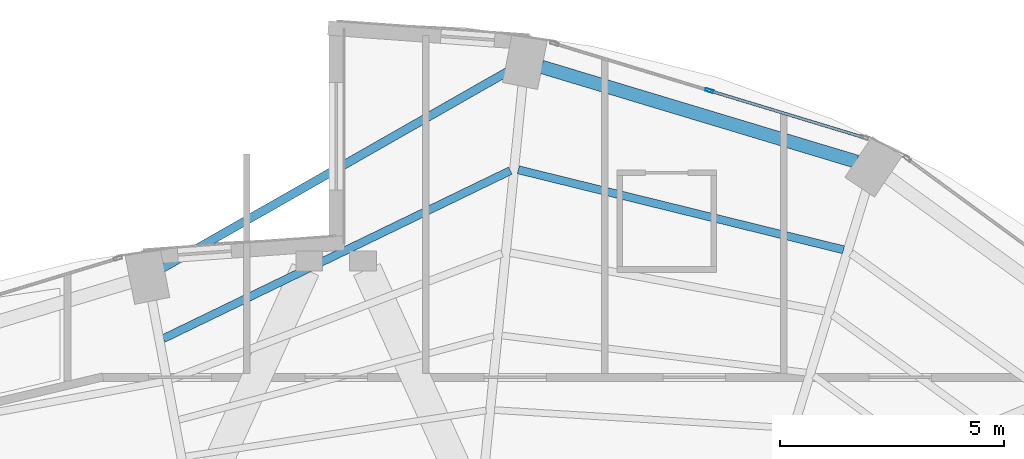
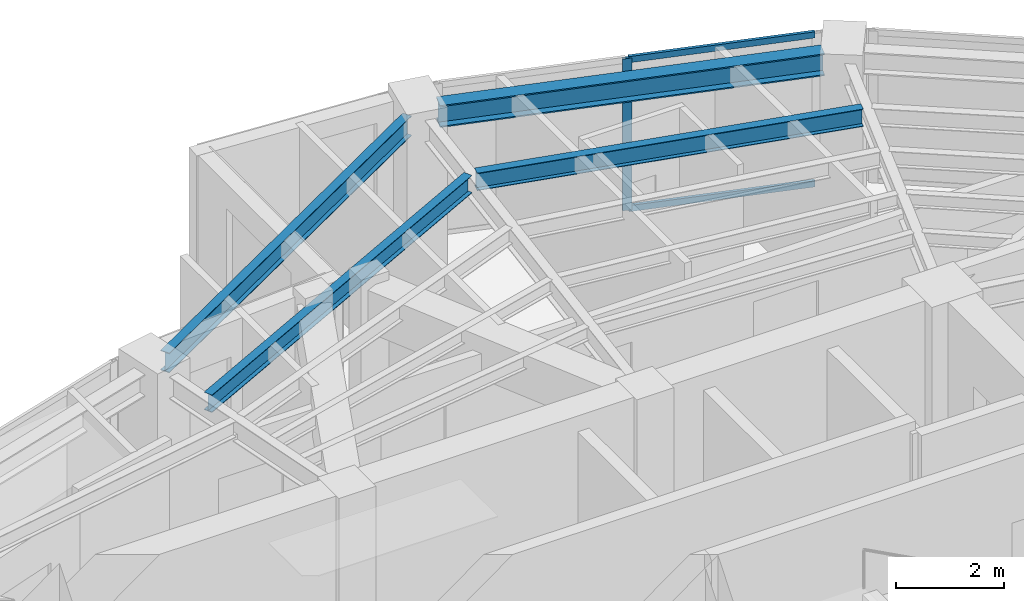
# One storey, part 16 of 23: 4 beams, 3 members, 1 element without a shape of its own.
"""IFC4 building model written with IfcOpenShell, lengths in metres."""

from ifc_helpers import new_model, si_unit, direction, frame, origin, origin_2d, place, context, subcontext, project, spatial, hollow_rectangle, i_section, extrude, material, layer, layer_set, material_profile, profile_set, type_object, element, aggregate, save


model = new_model("IFC4")

# Units and contexts
model_context = context("Model", 3, precision=1e-05, world=origin(), true_north=direction((0.0, 1.0)))
body_context = subcontext(model_context, "Body", "Model", "MODEL_VIEW")
ifc_project = project(units=[si_unit("LENGTHUNIT", "METRE"), si_unit("AREAUNIT", "SQUARE_METRE"), si_unit("VOLUMEUNIT", "CUBIC_METRE"), si_unit("PLANEANGLEUNIT", "RADIAN"), si_unit("MASSUNIT", "GRAM", prefix="KILO")], contexts=[model_context])

# Site, building, storey
site_placement = place(None, origin())
site = spatial("IfcSite", under=ifc_project, at=site_placement, CompositionType="ELEMENT")
building_placement = place(site_placement, origin())
building = spatial("IfcBuilding", under=site, at=building_placement, Name="Lazwardi Medical Tower", CompositionType="ELEMENT")
storey_placement = place(building_placement, frame((0.0, 0.0, 198.47998046875)))
storey = spatial("IfcBuildingStorey", under=building, at=storey_placement, Name="L51", CompositionType="ELEMENT", Elevation=198.47998046875)

# Beams
ifc_material_1 = material(Name="Steel S355", Category="steel")
ifc_material_profile_1 = material_profile(ifc_material_1, i_section(OverallWidth=0.300048828125, OverallDepth=0.5, WebThickness=0.014404296875, FlangeThickness=0.028076171875, at=origin_2d()), Name="HEB 500")
ifc_profile_set_1 = profile_set([ifc_material_profile_1], Name="Steel S355")
beam_type_1 = type_object("IfcBeamType", Name="BM-RB-Z4", PredefinedType="BEAM", material=ifc_profile_set_1)
beam_1_placement = place(storey_placement, frame((47.626953125, 43.56640625, 3.197998046875), z_axis=(-0.957544311906, 0.288286126506, 0.0), x_axis=(-0.288286126506, -0.957544311906, 0.0)))
element("IfcBeam", 1, at=beam_1_placement, inside=storey, type_object=beam_type_1, Name="Ring beam RB-05 B07 L51", PredefinedType="BEAM", context=body_context, shape_type="SweptSolid", body=[
    extrude(i_section(OverallWidth=0.300048828125, OverallDepth=0.5, WebThickness=0.014404296875, FlangeThickness=0.028076171875, at=origin_2d()), origin(), (0.0, 0.0, 1.0), 7.3515625),
])
ifc_material_profile_2 = material_profile(ifc_material_1, i_section(OverallWidth=0.179931640625, OverallDepth=0.39990234375, WebThickness=0.008544921875, FlangeThickness=0.013427734375, at=origin_2d()), Name="IPE 400")
ifc_profile_set_2 = profile_set([ifc_material_profile_2], Name="Steel S355")
beam_type_2 = type_object("IfcBeamType", Name="BM-SJ-01", PredefinedType="JOIST", material=ifc_profile_set_2)
beam_2_placement = place(storey_placement, frame((47.334228515625, 41.59912109375, 3.248046875), z_axis=(-0.971041669317, 0.238910184904, 0.0), x_axis=(-0.238910184904, -0.971041669317, 0.0)))
element("IfcBeam", 2, at=beam_2_placement, inside=storey, type_object=beam_type_2, Name="Secondary joist SJ-01 R1 B07 L51", PredefinedType="JOIST", context=body_context, shape_type="SweptSolid", body=[
    extrude(i_section(OverallWidth=0.179931640625, OverallDepth=0.39990234375, WebThickness=0.008544921875, FlangeThickness=0.013427734375, at=origin_2d()), origin(), (0.0, 0.0, 1.0), 7.482421875),
])
beam_3_placement = place(storey_placement, frame((39.89111328125, 43.367919921875, 3.248046875), z_axis=(-0.900068885459, -0.435747635024, 0.0), x_axis=(0.435747635024, -0.900068885459, 0.0)))
element("IfcBeam", 3, at=beam_3_placement, inside=storey, type_object=beam_type_2, Name="Secondary joist SJ-01 R1 B08 L51", PredefinedType="JOIST", context=body_context, shape_type="SweptSolid", body=[
    extrude(i_section(OverallWidth=0.179931640625, OverallDepth=0.39990234375, WebThickness=0.008544921875, FlangeThickness=0.013427734375, at=origin_2d()), origin(), (0.0, 0.0, 1.0), 8.612548828125),
])
ifc_material_profile_3 = material_profile(ifc_material_1, i_section(OverallWidth=0.18994140625, OverallDepth=0.449951171875, WebThickness=0.009521484375, FlangeThickness=0.0146484375, at=origin_2d()), Name="IPE 450")
ifc_profile_set_3 = profile_set([ifc_material_profile_3], Name="Steel S355")
beam_type_3 = type_object("IfcBeamType", Name="BM-SP-01", PredefinedType="SPANDREL", material=ifc_profile_set_3)
beam_4_placement = place(storey_placement, frame((39.875, 45.605224609375, 3.222900390625), z_axis=(-0.868954808466, -0.494891443494, 0.0), x_axis=(0.494891443494, -0.868954808466, 0.0)))
element("IfcBeam", 4, at=beam_4_placement, inside=storey, type_object=beam_type_3, Name="Spandrel beam SP-01 B08 L51", PredefinedType="SPANDREL", context=body_context, shape_type="SweptSolid", body=[
    extrude(i_section(OverallWidth=0.18994140625, OverallDepth=0.449951171875, WebThickness=0.009521484375, FlangeThickness=0.0146484375, at=origin_2d()), origin(), (0.0, 0.0, 1.0), 8.918701171875),
])

# Curtain wall, members
ifc_material_2 = material(Name="Anodised bronze aluminium and solar control glazing", Category="aluminium")
ifc_layer = layer(ifc_material_2, 0.18994140625)
ifc_layer_set = layer_set([ifc_layer], Name="Anodised bronze aluminium and solar control glazing")
curtain_wall_type = type_object("IfcCurtainWallType", Name="CW-SYS-04", PredefinedType="NOTDEFINED", material=ifc_layer_set)
curtain_wall_placement = place(storey_placement, origin())
curtain_wall = element("IfcCurtainWall", 5, at=curtain_wall_placement, inside=storey, type_object=curtain_wall_type, Name="L51 Unitised bronze curtain wall CW-04", PredefinedType="NOTDEFINED")
ifc_material_3 = material(Name="Anodised bronze aluminium", Category="aluminium")
ifc_material_profile_4 = material_profile(ifc_material_3, hollow_rectangle(XDim=0.06494140625, YDim=0.179931640625, WallThickness=0.00390625, at=origin_2d()), Name="ALU-MULLION 180x65x4")
ifc_profile_set_4 = profile_set([ifc_material_profile_4], Name="Anodised bronze aluminium")
member_type_1 = type_object("IfcMemberType", Name="CW-MUL-03", PredefinedType="MULLION", material=ifc_profile_set_4)
member_1_placement = place(storey_placement, frame((44.33642578125, 45.1552734375, 0.0), z_axis=(0.0, 0.0, 1.0), x_axis=(-0.290581889515, -0.956850126972, 0.0)))
member_1 = element("IfcMember", 6, at=member_1_placement, type_object=member_type_1, Name="CW-04 mullion 2", PredefinedType="MULLION", context=body_context, shape_type="SweptSolid", body=[
    extrude(hollow_rectangle(XDim=0.06494140625, YDim=0.179931640625, WallThickness=0.00390625, at=origin_2d()), origin(), (0.0, 0.0, 1.0), 3.447998046875),
])
ifc_material_profile_5 = material_profile(ifc_material_3, hollow_rectangle(XDim=0.06494140625, YDim=0.139892578125, WallThickness=0.00341796875, at=origin_2d()), Name="ALU-TRANSOM 140x65x3.5")
ifc_profile_set_5 = profile_set([ifc_material_profile_5], Name="Anodised bronze aluminium")
member_type_2 = type_object("IfcMemberType", Name="CW-TRN-03", PredefinedType="USERDEFINED", material=ifc_profile_set_5)
member_2_placement = place(storey_placement, frame((47.7685546875, 44.113037109375, 0.032470703125), z_axis=(-0.956862505902, 0.290541124109, 0.0), x_axis=(-0.290541124109, -0.956862505902, 0.0)))
member_2 = element("IfcMember", 7, at=member_2_placement, type_object=member_type_2, Name="CW-04 transom 1.1", ObjectType="TRANSOM", PredefinedType="USERDEFINED", context=body_context, shape_type="SweptSolid", body=[
    extrude(hollow_rectangle(XDim=0.06494140625, YDim=0.139892578125, WallThickness=0.00341796875, at=origin_2d()), origin(), (0.0, 0.0, 1.0), 3.554443359375),
])
member_3_placement = place(storey_placement, frame((47.7685546875, 44.113037109375, 3.41552734375), z_axis=(-0.956862505902, 0.290541124109, 0.0), x_axis=(-0.290541124109, -0.956862505902, 0.0)))
member_3 = element("IfcMember", 8, at=member_3_placement, type_object=member_type_2, Name="CW-04 transom 1.2", ObjectType="TRANSOM", PredefinedType="USERDEFINED", context=body_context, shape_type="SweptSolid", body=[
    extrude(hollow_rectangle(XDim=0.06494140625, YDim=0.139892578125, WallThickness=0.00341796875, at=origin_2d()), origin(), (0.0, 0.0, 1.0), 3.554443359375),
])
aggregate(curtain_wall, [member_1, member_2, member_3])

save(model, "model.ifc")
